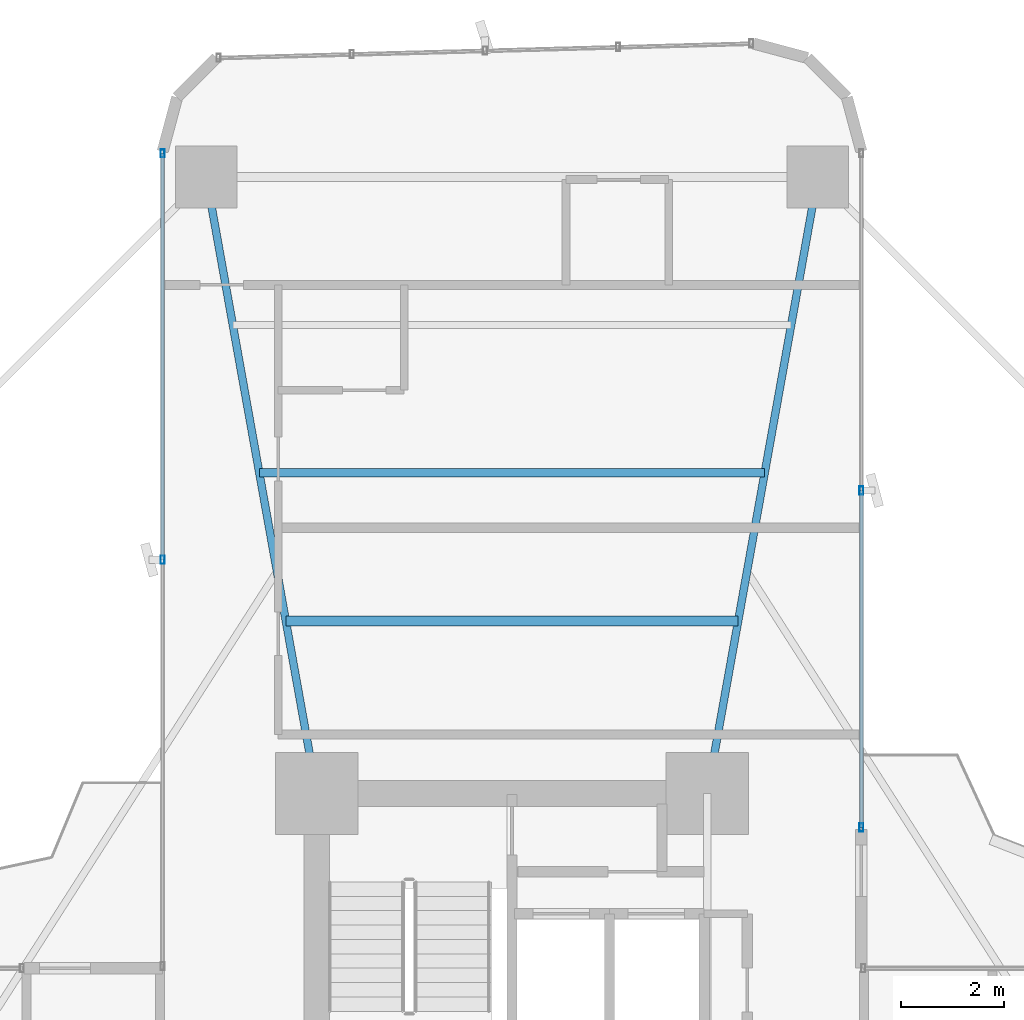
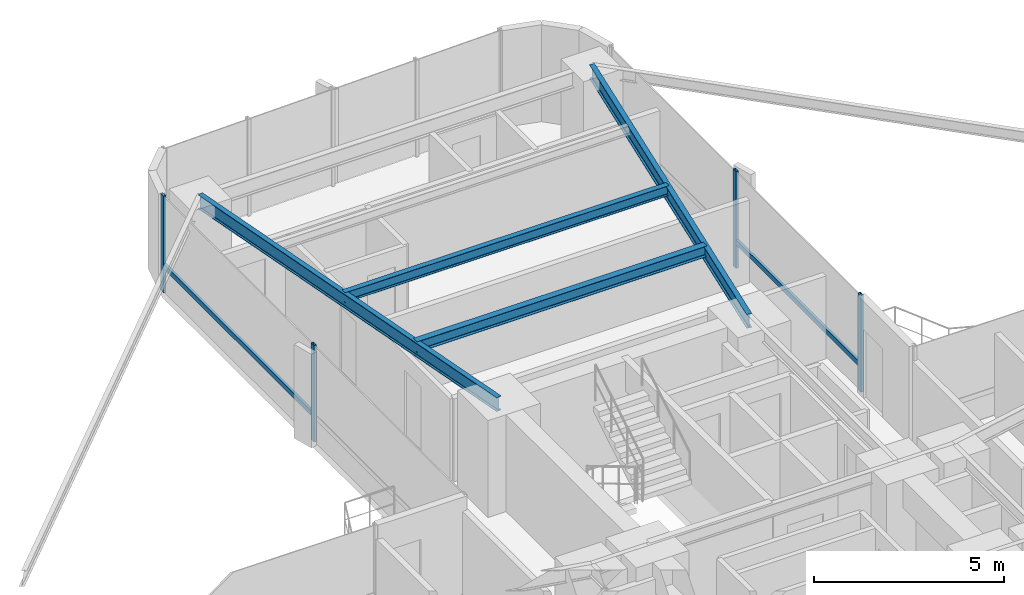
# One storey, part 18 of 25: 6 members, 4 beams, 2 elements without a shape of their own.
"""IFC4 building model written with IfcOpenShell, lengths in metres."""

from ifc_helpers import new_model, si_unit, direction, frame, origin, origin_2d, place, context, subcontext, project, spatial, hollow_rectangle, i_section, extrude, source, transform, mapped, material, material_profile, profile_set, type_object, element, aggregate, save


model = new_model("IFC4")

# Units and contexts
model_context = context("Model", 3, precision=1e-05, world=origin(), true_north=direction((0.0, 1.0)))
body_context = subcontext(model_context, "Body", "Model", "MODEL_VIEW")
ifc_project = project(units=[si_unit("LENGTHUNIT", "METRE"), si_unit("AREAUNIT", "SQUARE_METRE"), si_unit("VOLUMEUNIT", "CUBIC_METRE"), si_unit("PLANEANGLEUNIT", "RADIAN"), si_unit("MASSUNIT", "GRAM", prefix="KILO")], contexts=[model_context])

# Site, building, storey
site_placement = place(None, origin())
site = spatial("IfcSite", under=ifc_project, at=site_placement, CompositionType="ELEMENT")
building_placement = place(site_placement, origin())
building = spatial("IfcBuilding", under=site, at=building_placement, Name="Sahyath Konkavel Grand Hotel", CompositionType="ELEMENT")
storey_placement = place(building_placement, frame((0.0, 0.0, 67.800048828125)))
storey = spatial("IfcBuildingStorey", under=building, at=storey_placement, Name="L18", CompositionType="ELEMENT", Elevation=67.800048828125)

# Beams
ifc_material_1 = material(Name="Steel E350", Category="steel")
ifc_material_profile_1 = material_profile(ifc_material_1, i_section(OverallWidth=0.14990234375, OverallDepth=0.449951171875, WebThickness=0.009521484375, FlangeThickness=0.017333984375, FilletRadius=0.014892578125, at=origin_2d()), Name="ISMB 450")
ifc_profile_set_1 = profile_set([ifc_material_profile_1], Name="Steel E350")
beam_type_1 = type_object("IfcBeamType", Name="BM-ISMB450", PredefinedType="BEAM", material=ifc_profile_set_1)
shared_shape_1 = source(origin(), body_context, "Body", "SweptSolid", [
    extrude(i_section(OverallWidth=0.14990234375, OverallDepth=0.449951171875, WebThickness=0.009521484375, FlangeThickness=0.017333984375, FilletRadius=0.014892578125, at=origin_2d()), origin(), (0.0, 0.0, 1.0), 12.191162109375),
])
for number, where, z_axis, x_axis, name in (
    (1, (3.800048828125, 10.199951171875, 2.885009765625), (0.176350650305, 0.984327409014, 0.0), (-0.984327409014, 0.176350650305, 0.0), "L18 Cruciform Radial Girder NA"),
    (2, (-3.800048828125, 10.199951171875, 2.885009765625), (-0.176350650305, 0.984327409014, 0.0), (-0.984327409014, -0.176350650305, 0.0), "L18 Cruciform Radial Girder NB"),
):
    element("IfcBeam", number, at=place(storey_placement, frame(where, z_axis=z_axis, x_axis=x_axis)), inside=storey, type_object=beam_type_1, Name=name, PredefinedType="BEAM", context=body_context, shape_type="MappedRepresentation", body=[
        mapped(shared_shape_1, transform((0.0, 0.0, 0.0), scale=1.0)),
    ])
ifc_material_profile_2 = material_profile(ifc_material_1, i_section(OverallWidth=0.199951171875, OverallDepth=0.35009765625, WebThickness=0.008056640625, FlangeThickness=0.011474609375, FilletRadius=0.013916015625, at=origin_2d()), Name="ISWB 350")
ifc_profile_set_2 = profile_set([ifc_material_profile_2], Name="Steel E350")
beam_type_2 = type_object("IfcBeamType", Name="BM-ISWB350", PredefinedType="BEAM", material=ifc_profile_set_2)
shared_shape_2 = source(origin(), body_context, "Body", "SweptSolid", [
    extrude(i_section(OverallWidth=0.199951171875, OverallDepth=0.35009765625, WebThickness=0.008056640625, FlangeThickness=0.011474609375, FilletRadius=0.013916015625, at=origin_2d()), origin(), (0.0, 0.0, 1.0), 8.80419921875),
])
beam_1_placement = place(storey_placement, frame((4.402099609375, 13.56005859375, 2.93505859375), z_axis=(-1.0, 0.0, 0.0), x_axis=(0.0, -1.0, 0.0)))
element("IfcBeam", 3, at=beam_1_placement, inside=storey, type_object=beam_type_2, Name="L18 Secondary Floor Beam N-1", PredefinedType="BEAM", context=body_context, shape_type="MappedRepresentation", body=[
    mapped(shared_shape_2, transform((0.0, 0.0, 0.0), scale=1.0)),
])
ifc_material_profile_3 = material_profile(ifc_material_1, i_section(OverallWidth=0.1650390625, OverallDepth=0.324951171875, WebThickness=0.007080078125, FlangeThickness=0.009765625, FilletRadius=0.014892578125, at=origin_2d()), Name="ISLB 325")
ifc_profile_set_3 = profile_set([ifc_material_profile_3], Name="Steel E350")
beam_type_3 = type_object("IfcBeamType", Name="BM-ISLB325", PredefinedType="BEAM", material=ifc_profile_set_3)
shared_shape_3 = source(origin(), body_context, "Body", "SweptSolid", [
    extrude(i_section(OverallWidth=0.1650390625, OverallDepth=0.324951171875, WebThickness=0.007080078125, FlangeThickness=0.009765625, FilletRadius=0.014892578125, at=origin_2d()), origin(), (0.0, 0.0, 1.0), 9.8359375),
])
beam_2_placement = place(storey_placement, frame((4.91796875, 16.43994140625, 2.947509765625), z_axis=(-1.0, 0.0, 0.0), x_axis=(0.0, -1.0, 0.0)))
element("IfcBeam", 4, at=beam_2_placement, inside=storey, type_object=beam_type_3, Name="L18 Secondary Floor Beam N-2", PredefinedType="BEAM", context=body_context, shape_type="MappedRepresentation", body=[
    mapped(shared_shape_3, transform((0.0, 0.0, 0.0), scale=1.0)),
])

# Curtain wall, members
ifc_material_2 = material(Name="Anodised Bronze Aluminium & Low-E Glazing", Category="aluminium")
curtain_wall_type = type_object("IfcCurtainWallType", Name="CW-ZONE1", PredefinedType="NOTDEFINED", material=ifc_material_2)
curtain_wall_1_placement = place(storey_placement, origin())
curtain_wall_1 = element("IfcCurtainWall", 5, at=curtain_wall_1_placement, inside=storey, type_object=curtain_wall_type, Name="L18 Unitised Curtain Wall F8", PredefinedType="NOTDEFINED")
ifc_material_3 = material(Name="Anodised Bronze Aluminium", Category="aluminium")
ifc_material_profile_4 = material_profile(ifc_material_3, hollow_rectangle(XDim=0.080078125, YDim=0.159912109375, WallThickness=0.006103515625, at=origin_2d()), Name="RHS 160x80x6")
ifc_profile_set_4 = profile_set([ifc_material_profile_4], Name="Anodised Bronze Aluminium")
member_type_1 = type_object("IfcMemberType", Name="CW-MUL-160", PredefinedType="MULLION", material=ifc_profile_set_4)
shared_shape_4 = source(origin(), body_context, "Body", "SweptSolid", [
    extrude(hollow_rectangle(XDim=0.080078125, YDim=0.159912109375, WallThickness=0.006103515625, at=origin_2d()), origin(), (0.0, 0.0, 1.0), 3.10986328125),
])
member_1_placement = place(storey_placement, frame((6.800048828125, 9.5400390625, 0.0), z_axis=(0.0, 0.0, 1.0), x_axis=(1.0, 0.0, 0.0)))
member_1 = element("IfcMember", 6, at=member_1_placement, type_object=member_type_1, Name="L18 Curtain Wall Mullion F8-0", PredefinedType="MULLION", context=body_context, shape_type="MappedRepresentation", body=[
    mapped(shared_shape_4, transform((0.0, 0.0, 0.0), scale=1.0)),
])
member_2_placement = place(storey_placement, frame((6.800048828125, 16.10009765625, 0.0), z_axis=(0.0, 0.0, 1.0), x_axis=(1.0, 0.0, 0.0)))
member_2 = element("IfcMember", 7, at=member_2_placement, type_object=member_type_1, Name="L18 Curtain Wall Mullion F8-1", PredefinedType="MULLION", context=body_context, shape_type="MappedRepresentation", body=[
    mapped(shared_shape_4, transform((0.0, 0.0, 0.0), scale=1.0)),
])

curtain_wall_2_placement = place(storey_placement, origin())
curtain_wall_2 = element("IfcCurtainWall", 8, at=curtain_wall_2_placement, inside=storey, type_object=curtain_wall_type, Name="L18 Unitised Curtain Wall F15", PredefinedType="NOTDEFINED")
member_3_placement = place(storey_placement, frame((-6.800048828125, 22.659912109375, 0.0), z_axis=(0.0, 0.0, 1.0), x_axis=(1.0, 0.0, 0.0)))
member_3 = element("IfcMember", 9, at=member_3_placement, type_object=member_type_1, Name="L18 Curtain Wall Mullion F15-0", PredefinedType="MULLION", context=body_context, shape_type="MappedRepresentation", body=[
    mapped(shared_shape_4, transform((0.0, 0.0, 0.0), scale=1.0)),
])
member_4_placement = place(storey_placement, frame((-6.800048828125, 14.75, 0.0), z_axis=(0.0, 0.0, 1.0), x_axis=(1.0, 0.0, 0.0)))
member_4 = element("IfcMember", 10, at=member_4_placement, type_object=member_type_1, Name="L18 Curtain Wall Mullion F15-1", PredefinedType="MULLION", context=body_context, shape_type="MappedRepresentation", body=[
    mapped(shared_shape_4, transform((0.0, 0.0, 0.0), scale=1.0)),
])
ifc_material_profile_5 = material_profile(ifc_material_3, hollow_rectangle(XDim=0.080078125, YDim=0.159912109375, WallThickness=0.006103515625, at=origin_2d()), Name="RHS 160x80x6")
ifc_profile_set_5 = profile_set([ifc_material_profile_5], Name="Anodised Bronze Aluminium")
member_type_2 = type_object("IfcMemberType", Name="CW-TRN-160", PredefinedType="USERDEFINED", material=ifc_profile_set_5)
shared_shape_5 = source(origin(), body_context, "Body", "SweptSolid", [
    extrude(hollow_rectangle(XDim=0.080078125, YDim=0.159912109375, WallThickness=0.006103515625, at=origin_2d()), origin(), (0.0, 0.0, 1.0), 7.909912109375),
])
member_5_placement = place(storey_placement, frame((-6.800048828125, 22.659912109375, 0.849853515625), z_axis=(0.0, -1.0, 0.0), x_axis=(1.0, 0.0, 0.0)))
member_5 = element("IfcMember", 11, at=member_5_placement, type_object=member_type_2, Name="L18 Curtain Wall Transom F15-0-spandrel", ObjectType="TRANSOM", PredefinedType="USERDEFINED", context=body_context, shape_type="MappedRepresentation", body=[
    mapped(shared_shape_5, transform((0.0, 0.0, 0.0), scale=1.0)),
])
aggregate(curtain_wall_2, [member_3, member_4, member_5])

# Member
shared_shape_6 = source(origin(), body_context, "Body", "SweptSolid", [
    extrude(hollow_rectangle(XDim=0.080078125, YDim=0.159912109375, WallThickness=0.006103515625, at=origin_2d()), origin(), (0.0, 0.0, 1.0), 6.56005859375),
])
member_6_placement = place(storey_placement, frame((6.800048828125, 9.5400390625, 0.849853515625), z_axis=(0.0, 1.0, 0.0), x_axis=(-1.0, 0.0, 0.0)))
member_6 = element("IfcMember", 12, at=member_6_placement, type_object=member_type_2, Name="L18 Curtain Wall Transom F8-0-spandrel", ObjectType="TRANSOM", PredefinedType="USERDEFINED", context=body_context, shape_type="MappedRepresentation", body=[
    mapped(shared_shape_6, transform((0.0, 0.0, 0.0), scale=1.0)),
])

aggregate(curtain_wall_1, [member_1, member_2, member_6])

save(model, "model.ifc")
